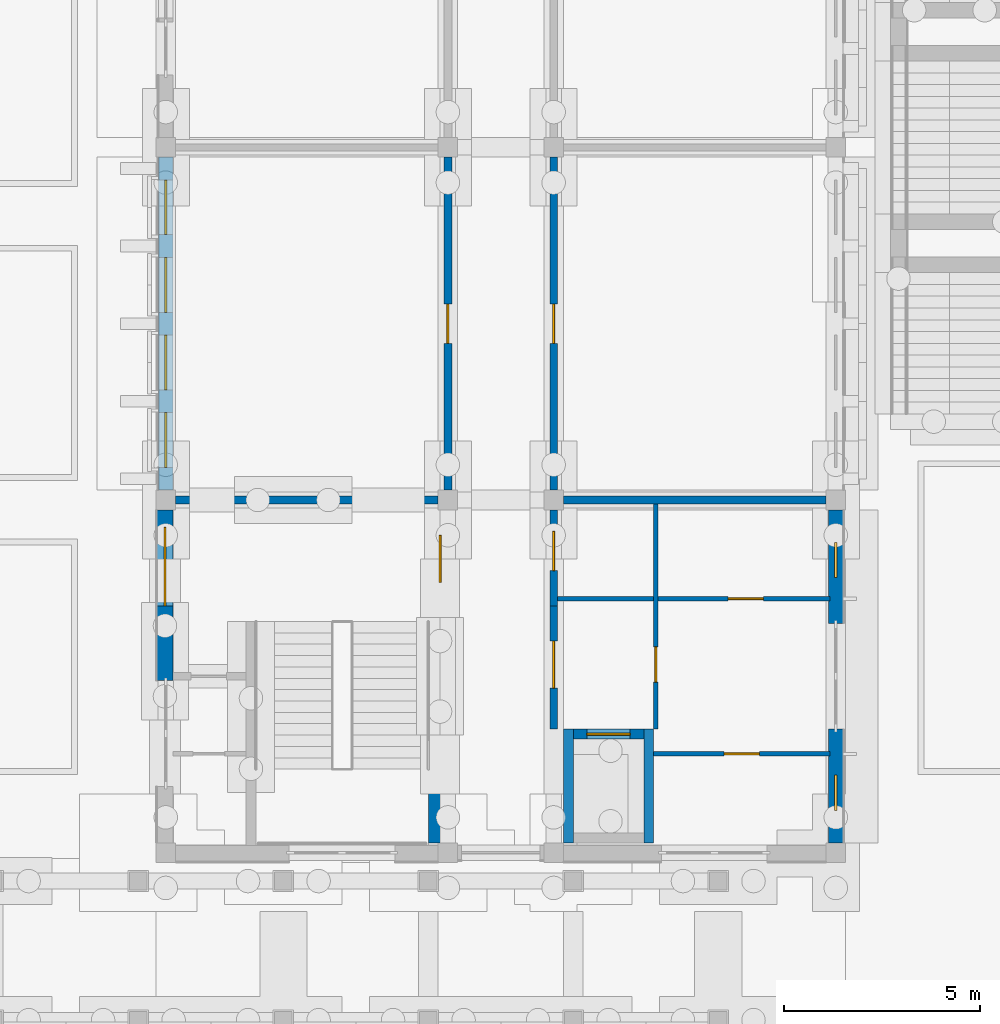
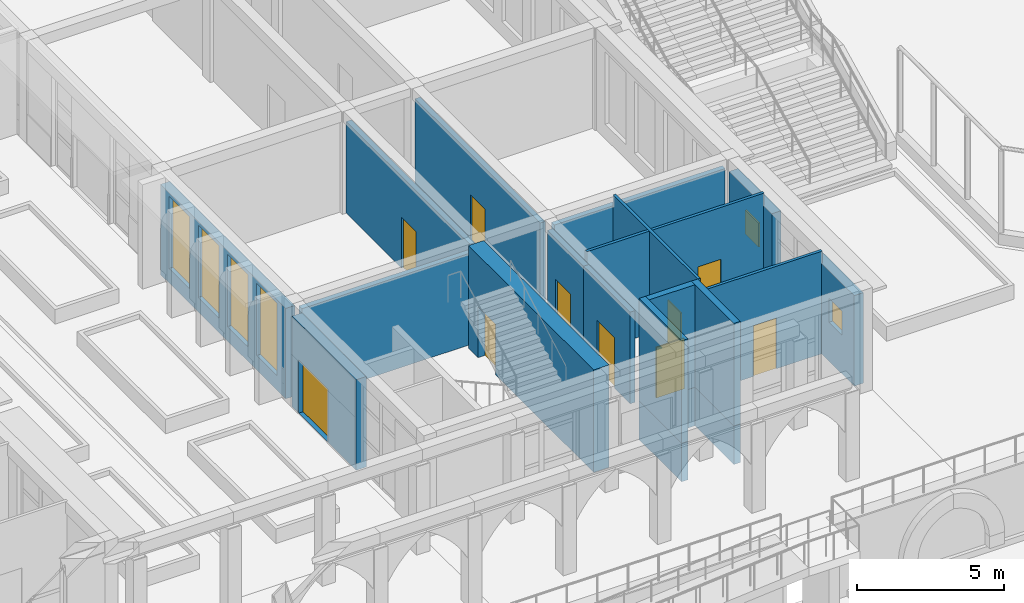
# One storey, part 69 of 161: 20 walls, 10 doors, 6 windows, 16 openings.
"""IFC4 building model written with IfcOpenShell, lengths in metres."""

from ifc_helpers import new_model, si_unit, direction, frame, frame_2d, origin, place, context, subcontext, project, spatial, rectangle, extrude, material, layer, layer_set, type_object, element, fill, save


model = new_model("IFC4")

# Units and contexts
model_context = context("Model", 3, precision=1e-05, world=origin(), true_north=direction((0.0, 1.0)))
body_context = subcontext(model_context, "Body", "Model", "MODEL_VIEW")
ifc_project = project(units=[si_unit("LENGTHUNIT", "METRE"), si_unit("AREAUNIT", "SQUARE_METRE"), si_unit("VOLUMEUNIT", "CUBIC_METRE"), si_unit("PLANEANGLEUNIT", "RADIAN"), si_unit("MASSUNIT", "GRAM", prefix="KILO")], contexts=[model_context])

# Site, building, storey
site_placement = place(None, origin())
site = spatial("IfcSite", under=ifc_project, at=site_placement, CompositionType="ELEMENT")
building_placement = place(site_placement, origin())
building = spatial("IfcBuilding", under=site, at=building_placement, Name="Elbe Cascade School", CompositionType="ELEMENT")
storey_placement = place(building_placement, origin())
storey = spatial("IfcBuildingStorey", under=building, at=storey_placement, Name="L00", CompositionType="ELEMENT", Elevation=0.0)

# Wall, opening, door
ifc_material_1 = material(Name="Masonry - lime-sand block, plastered", Category="masonry")
ifc_layer_1 = layer(ifc_material_1, 0.199951171875)
ifc_layer_set_1 = layer_set([ifc_layer_1], Name="Masonry - lime-sand block, plastered")
wall_type_1 = type_object("IfcWallType", Name="Bar corridor wall lime-sand block 200 EI 30", PredefinedType="PARTITIONING", material=ifc_layer_set_1)
wall_1_placement = place(storey_placement, frame((167.699951171875, 12.300048828125, 0.0), z_axis=(0.0, 0.0, 1.0), x_axis=(0.0, -1.0, 0.0)))
wall_1 = element("IfcWall", 1, at=wall_1_placement, inside=storey, type_object=wall_type_1, Name="Bar corridor wall lime-sand block 200 EI 30", PredefinedType="PARTITIONING", context=body_context, shape_type="SweptSolid", body=[
    extrude(rectangle(XDim=3.150146484375, YDim=0.199951171875, at=frame_2d((1.5751953125, 0.0))), origin(), (0.0, 0.0, 1.0), 3.800048828125),
])
opening_1_placement = place(wall_1_placement, frame((0.89990234375, 0.0, 0.0)))
opening_1 = element("IfcOpeningElement", 2, at=opening_1_placement, cuts=wall_1, Name="Opening D0.102", PredefinedType="OPENING", context=body_context, shape_type="SweptSolid", body=[
    extrude(rectangle(XDim=1.199951171875, YDim=2.10009765625, at=frame_2d((0.60009765625, 1.050048828125))), frame((0.0, 0.10986328125, 0.0), z_axis=(0.0, -1.0, 0.0), x_axis=(1.0, 0.0, 0.0)), (0.0, 0.0, 1.0), 0.219970703125),
])
ifc_material_2 = material(Name="Timber door leaf, fire-resisting and smoke-tight, steel frame", Category="steel")
door_type_1 = type_object("IfcDoorType", Name="Bar door FD30S 1200x2100", OperationType="NOTDEFINED", PredefinedType="DOOR", material=ifc_material_2)
door_1_placement = place(opening_1_placement, origin())
door_1 = element("IfcDoor", 3, at=door_1_placement, inside=storey, type_object=door_type_1, Name="Door D0.06", OperationType="SINGLE_SWING_LEFT", OverallHeight=2.10009765625, OverallWidth=1.199951171875, PredefinedType="DOOR", context=body_context, shape_type="SweptSolid", body=[
    extrude(rectangle(XDim=1.199951171875, YDim=2.10009765625, at=frame_2d((0.60009765625, 1.050048828125))), frame((0.0, 0.02490234375, 0.0), z_axis=(0.0, -1.0, 0.0), x_axis=(1.0, 0.0, 0.0)), (0.0, 0.0, 1.0), 0.050048828125),
])
fill(opening_1, door_1)

wall_2_placement = place(storey_placement, frame((167.699951171875, 12.300048828125, 0.0), z_axis=(0.0, 0.0, 1.0), x_axis=(0.0, 1.0, 0.0)))
wall_2 = element("IfcWall", 4, at=wall_2_placement, inside=storey, type_object=wall_type_1, Name="Bar corridor wall lime-sand block 200 EI 30", PredefinedType="PARTITIONING", context=body_context, shape_type="SweptSolid", body=[
    extrude(rectangle(XDim=2.449951171875, YDim=0.199951171875, at=frame_2d((1.22509765625, 0.0))), origin(), (0.0, 0.0, 1.0), 3.800048828125),
])
opening_2_placement = place(wall_2_placement, frame((0.89990234375, 0.0, 0.0)))
opening_2 = element("IfcOpeningElement", 5, at=opening_2_placement, cuts=wall_2, Name="Opening D0.107", PredefinedType="OPENING", context=body_context, shape_type="SweptSolid", body=[
    extrude(rectangle(XDim=1.0, YDim=2.10009765625, at=frame_2d((0.5, 1.050048828125))), frame((0.0, 0.10986328125, 0.0), z_axis=(0.0, -1.0, 0.0), x_axis=(1.0, 0.0, 0.0)), (0.0, 0.0, 1.0), 0.219970703125),
])
ifc_material_3 = material(Name="Timber door leaf, fire-resisting, steel frame", Category="steel")
door_type_2 = type_object("IfcDoorType", Name="Bar door FD30 1000x2100", OperationType="NOTDEFINED", PredefinedType="DOOR", material=ifc_material_3)
door_2_placement = place(opening_2_placement, origin())
door_2 = element("IfcDoor", 6, at=door_2_placement, inside=storey, type_object=door_type_2, Name="Door D0.10", OperationType="SINGLE_SWING_RIGHT", OverallHeight=2.10009765625, OverallWidth=1.0, PredefinedType="DOOR", context=body_context, shape_type="SweptSolid", body=[
    extrude(rectangle(XDim=1.0, YDim=2.10009765625, at=frame_2d((0.5, 1.050048828125))), frame((0.0, 0.02490234375, 0.0), z_axis=(0.0, -1.0, 0.0), x_axis=(1.0, 0.0, 0.0)), (0.0, 0.0, 1.0), 0.050048828125),
])
fill(opening_2, door_2)

wall_3_placement = place(storey_placement, frame((165.0, 15.25, 0.0), z_axis=(0.0, 0.0, 1.0), x_axis=(0.0, 1.0, 0.0)))
wall_3 = element("IfcWall", 7, at=wall_3_placement, inside=storey, type_object=wall_type_1, Name="Bar corridor wall lime-sand block 200 EI 30", PredefinedType="PARTITIONING", context=body_context, shape_type="SweptSolid", body=[
    extrude(rectangle(XDim=8.5, YDim=0.199951171875, at=frame_2d((4.25, 0.0))), origin(), (0.0, 0.0, 1.0), 3.800048828125),
])
opening_3_placement = place(wall_3_placement, frame((3.75, 0.0, 0.0)))
opening_3 = element("IfcOpeningElement", 8, at=opening_3_placement, cuts=wall_3, Name="Opening D0.108", PredefinedType="OPENING", context=body_context, shape_type="SweptSolid", body=[
    extrude(rectangle(XDim=1.0, YDim=2.10009765625, at=frame_2d((0.5, 1.050048828125))), frame((0.0, 0.10986328125, 0.0), z_axis=(0.0, -1.0, 0.0), x_axis=(1.0, 0.0, 0.0)), (0.0, 0.0, 1.0), 0.219970703125),
])
door_3_placement = place(opening_3_placement, origin())
door_3 = element("IfcDoor", 9, at=door_3_placement, inside=storey, type_object=door_type_2, Name="Door D0.19", OperationType="SINGLE_SWING_RIGHT", OverallHeight=2.10009765625, OverallWidth=1.0, PredefinedType="DOOR", context=body_context, shape_type="SweptSolid", body=[
    extrude(rectangle(XDim=1.0, YDim=2.10009765625, at=frame_2d((0.5, 1.050048828125))), frame((0.0, 0.02490234375, 0.0), z_axis=(0.0, -1.0, 0.0), x_axis=(1.0, 0.0, 0.0)), (0.0, 0.0, 1.0), 0.050048828125),
])
fill(opening_3, door_3)

wall_4_placement = place(storey_placement, frame((167.699951171875, 23.75, 0.0), z_axis=(0.0, 0.0, 1.0), x_axis=(0.0, -1.0, 0.0)))
wall_4 = element("IfcWall", 10, at=wall_4_placement, inside=storey, type_object=wall_type_1, Name="Bar corridor wall lime-sand block 200 EI 30", PredefinedType="PARTITIONING", context=body_context, shape_type="SweptSolid", body=[
    extrude(rectangle(XDim=8.5, YDim=0.199951171875, at=frame_2d((4.25, 0.0))), origin(), (0.0, 0.0, 1.0), 3.800048828125),
])
opening_4_placement = place(wall_4_placement, frame((3.75, 0.0, 0.0)))
opening_4 = element("IfcOpeningElement", 11, at=opening_4_placement, cuts=wall_4, Name="Opening D0.109", PredefinedType="OPENING", context=body_context, shape_type="SweptSolid", body=[
    extrude(rectangle(XDim=1.0, YDim=2.10009765625, at=frame_2d((0.5, 1.050048828125))), frame((0.0, 0.10986328125, 0.0), z_axis=(0.0, -1.0, 0.0), x_axis=(1.0, 0.0, 0.0)), (0.0, 0.0, 1.0), 0.219970703125),
])
door_4_placement = place(opening_4_placement, origin())
door_4 = element("IfcDoor", 12, at=door_4_placement, inside=storey, type_object=door_type_2, Name="Door D0.22", OperationType="SINGLE_SWING_LEFT", OverallHeight=2.10009765625, OverallWidth=1.0, PredefinedType="DOOR", context=body_context, shape_type="SweptSolid", body=[
    extrude(rectangle(XDim=1.0, YDim=2.10009765625, at=frame_2d((0.5, 1.050048828125))), frame((0.0, 0.02490234375, 0.0), z_axis=(0.0, -1.0, 0.0), x_axis=(1.0, 0.0, 0.0)), (0.0, 0.0, 1.0), 0.050048828125),
])
fill(opening_4, door_4)

ifc_material_4 = material(Name="Masonry - lime-sand block, plastered", Category="masonry")
ifc_layer_2 = layer(ifc_material_4, 0.114990234375)
ifc_layer_set_2 = layer_set([ifc_layer_2], Name="Masonry - lime-sand block, plastered")
wall_type_2 = type_object("IfcWallType", Name="Bar light partition wall lime-sand block 115", PredefinedType="PARTITIONING", material=ifc_layer_set_2)
wall_5_placement = place(storey_placement, frame((170.3076171875, 14.89990234375, 0.0), z_axis=(0.0, 0.0, 1.0), x_axis=(0.0, -1.0, 0.0)))
wall_5 = element("IfcWall", 13, at=wall_5_placement, inside=storey, type_object=wall_type_2, Name="Bar light partition wall lime-sand block 115", PredefinedType="PARTITIONING", context=body_context, shape_type="SweptSolid", body=[
    extrude(rectangle(XDim=5.75, YDim=0.114990234375, at=frame_2d((2.875, 0.0))), origin(), (0.0, 0.0, 1.0), 4.25),
])
opening_5_placement = place(wall_5_placement, frame((3.64990234375, 0.0, 0.0)))
opening_5 = element("IfcOpeningElement", 14, at=opening_5_placement, cuts=wall_5, Name="Opening D0.103", PredefinedType="OPENING", context=body_context, shape_type="SweptSolid", body=[
    extrude(rectangle(XDim=0.89990234375, YDim=2.10009765625, at=frame_2d((0.449951171875, 1.050048828125))), frame((0.0, 0.0673828125, 0.0), z_axis=(0.0, -1.0, 0.0), x_axis=(1.0, 0.0, 0.0)), (0.0, 0.0, 1.0), 0.135009765625),
])
ifc_material_5 = material(Name="Timber door leaf, steel frame", Category="steel")
door_type_3 = type_object("IfcDoorType", Name="Bar door 900x2100", OperationType="NOTDEFINED", PredefinedType="DOOR", material=ifc_material_5)
door_5_placement = place(opening_5_placement, origin())
door_5 = element("IfcDoor", 15, at=door_5_placement, inside=storey, type_object=door_type_3, Name="Door D0.07", OperationType="SINGLE_SWING_LEFT", OverallHeight=2.10009765625, OverallWidth=0.89990234375, PredefinedType="DOOR", context=body_context, shape_type="SweptSolid", body=[
    extrude(rectangle(XDim=0.89990234375, YDim=2.10009765625, at=frame_2d((0.449951171875, 1.050048828125))), frame((0.0, 0.02490234375, 0.0), z_axis=(0.0, -1.0, 0.0), x_axis=(1.0, 0.0, 0.0)), (0.0, 0.0, 1.0), 0.050048828125),
])
fill(opening_5, door_5)

wall_6_placement = place(storey_placement, frame((174.75, 8.52001953125, 0.0), z_axis=(0.0, 0.0, 1.0), x_axis=(-1.0, 0.0, 0.0)))
wall_6 = element("IfcWall", 16, at=wall_6_placement, inside=storey, type_object=wall_type_2, Name="Bar light partition wall lime-sand block 115", PredefinedType="PARTITIONING", context=body_context, shape_type="SweptSolid", body=[
    extrude(rectangle(XDim=4.5, YDim=0.114990234375, at=frame_2d((2.25, 0.0))), origin(), (0.0, 0.0, 1.0), 4.25),
])
opening_6_placement = place(wall_6_placement, frame((1.800048828125, 0.0, 0.0)))
opening_6 = element("IfcOpeningElement", 17, at=opening_6_placement, cuts=wall_6, Name="Opening D0.099", PredefinedType="OPENING", context=body_context, shape_type="SweptSolid", body=[
    extrude(rectangle(XDim=0.89990234375, YDim=2.10009765625, at=frame_2d((0.449951171875, 1.050048828125))), frame((0.0, 0.0673828125, 0.0), z_axis=(0.0, -1.0, 0.0), x_axis=(1.0, 0.0, 0.0)), (0.0, 0.0, 1.0), 0.135009765625),
])
door_6_placement = place(opening_6_placement, origin())
door_6 = element("IfcDoor", 18, at=door_6_placement, inside=storey, type_object=door_type_3, Name="Door D0.08", OperationType="SINGLE_SWING_LEFT", OverallHeight=2.10009765625, OverallWidth=0.89990234375, PredefinedType="DOOR", context=body_context, shape_type="SweptSolid", body=[
    extrude(rectangle(XDim=0.89990234375, YDim=2.10009765625, at=frame_2d((0.449951171875, 1.050048828125))), frame((0.0, 0.02490234375, 0.0), z_axis=(0.0, -1.0, 0.0), x_axis=(1.0, 0.0, 0.0)), (0.0, 0.0, 1.0), 0.050048828125),
])
fill(opening_6, door_6)

wall_7_placement = place(storey_placement, frame((167.800048828125, 12.47998046875, 0.0), z_axis=(0.0, 0.0, 1.0), x_axis=(1.0, 0.0, 0.0)))
wall_7 = element("IfcWall", 19, at=wall_7_placement, inside=storey, type_object=wall_type_2, Name="Bar light partition wall lime-sand block 115", PredefinedType="PARTITIONING", context=body_context, shape_type="SweptSolid", body=[
    extrude(rectangle(XDim=6.949951171875, YDim=0.114990234375, at=frame_2d((3.47509765625, 0.0))), origin(), (0.0, 0.0, 1.0), 4.25),
])
opening_7_placement = place(wall_7_placement, frame((4.35009765625, 0.0, 0.0)))
opening_7 = element("IfcOpeningElement", 20, at=opening_7_placement, cuts=wall_7, Name="Opening D0.104", PredefinedType="OPENING", context=body_context, shape_type="SweptSolid", body=[
    extrude(rectangle(XDim=0.89990234375, YDim=2.10009765625, at=frame_2d((0.449951171875, 1.050048828125))), frame((0.0, 0.0673828125, 0.0), z_axis=(0.0, -1.0, 0.0), x_axis=(1.0, 0.0, 0.0)), (0.0, 0.0, 1.0), 0.135009765625),
])
door_7_placement = place(opening_7_placement, origin())
door_7 = element("IfcDoor", 21, at=door_7_placement, inside=storey, type_object=door_type_3, Name="Door D0.09", OperationType="SINGLE_SWING_RIGHT", OverallHeight=2.10009765625, OverallWidth=0.89990234375, PredefinedType="DOOR", context=body_context, shape_type="SweptSolid", body=[
    extrude(rectangle(XDim=0.89990234375, YDim=2.10009765625, at=frame_2d((0.449951171875, 1.050048828125))), frame((0.0, 0.02490234375, 0.0), z_axis=(0.0, -1.0, 0.0), x_axis=(1.0, 0.0, 0.0)), (0.0, 0.0, 1.0), 0.050048828125),
])
fill(opening_7, door_7)

# Wall
ifc_material_6 = material(Name="Masonry - lime-sand block, plastered", Category="masonry")
ifc_layer_3 = layer(ifc_material_6, 0.199951171875)
ifc_layer_set_3 = layer_set([ifc_layer_3], Name="Masonry - lime-sand block, plastered")
wall_type_3 = type_object("IfcWallType", Name="Bar partition wall lime-sand block 200", PredefinedType="PARTITIONING", material=ifc_layer_set_3)
wall_8_placement = place(storey_placement, frame((167.949951171875, 15.0, 0.0), z_axis=(0.0, 0.0, 1.0), x_axis=(1.0, 0.0, 0.0)))
element("IfcWall", 22, at=wall_8_placement, inside=storey, type_object=wall_type_3, Name="Bar partition wall lime-sand block 200", PredefinedType="PARTITIONING", context=body_context, shape_type="SweptSolid", body=[
    extrude(rectangle(XDim=6.699951171875, YDim=0.199951171875, at=frame_2d((3.35009765625, 0.0))), origin(), (0.0, 0.0, 1.0), 3.800048828125),
])

# Wall, opening, door
ifc_material_7 = material(Name="Concrete C30/37", Category="concrete")
ifc_layer_4 = layer(ifc_material_7, 0.60009765625)
ifc_layer_set_4 = layer_set([ifc_layer_4], Name="Concrete C30/37")
wall_type_4 = type_object("IfcWallType", Name="Bar stair core wall RC 600", PredefinedType="SOLIDWALL", material=ifc_layer_set_4)
wall_9_placement = place(storey_placement, frame((164.800048828125, 6.25, 0.0), z_axis=(0.0, 0.0, 1.0), x_axis=(0.0, 1.0, 0.0)))
wall_9 = element("IfcWall", 23, at=wall_9_placement, inside=storey, type_object=wall_type_4, Name="Bar stair core wall RC 600", PredefinedType="SOLIDWALL", context=body_context, shape_type="SweptSolid", body=[
    extrude(rectangle(XDim=8.5, YDim=0.60009765625, at=frame_2d((4.25, 0.0))), origin(), (0.0, 0.0, 1.0), 4.25),
])
opening_8_placement = place(wall_9_placement, frame((6.64990234375, 0.0, 0.0)))
opening_8 = element("IfcOpeningElement", 24, at=opening_8_placement, cuts=wall_9, Name="Opening D0.106", PredefinedType="OPENING", context=body_context, shape_type="SweptSolid", body=[
    extrude(rectangle(XDim=1.199951171875, YDim=2.10009765625, at=frame_2d((0.60009765625, 1.050048828125))), frame((0.0, 0.31005859375, 0.0), z_axis=(0.0, -1.0, 0.0), x_axis=(1.0, 0.0, 0.0)), (0.0, 0.0, 1.0), 0.6201171875),
])
door_8_placement = place(opening_8_placement, origin())
door_8 = element("IfcDoor", 25, at=door_8_placement, inside=storey, type_object=door_type_1, Name="Door D0.03", OperationType="SINGLE_SWING_RIGHT", OverallHeight=2.10009765625, OverallWidth=1.199951171875, PredefinedType="DOOR", context=body_context, shape_type="SweptSolid", body=[
    extrude(rectangle(XDim=1.199951171875, YDim=2.10009765625, at=frame_2d((0.60009765625, 1.050048828125))), frame((0.0, 0.02490234375, 0.0), z_axis=(0.0, -1.0, 0.0), x_axis=(1.0, 0.0, 0.0)), (0.0, 0.0, 1.0), 0.050048828125),
])
fill(opening_8, door_8)

# Wall
ifc_material_8 = material(Name="Concrete C30/37", Category="concrete")
ifc_layer_5 = layer(ifc_material_8, 0.199951171875)
ifc_layer_set_5 = layer_set([ifc_layer_5], Name="Concrete C30/37")
wall_type_5 = type_object("IfcWallType", Name="Bar stair lobby wall RC 200", PredefinedType="SOLIDWALL", material=ifc_layer_set_5)
wall_10_placement = place(storey_placement, frame((158.050048828125, 15.0, 0.0), z_axis=(0.0, 0.0, 1.0), x_axis=(1.0, 0.0, 0.0)))
element("IfcWall", 26, at=wall_10_placement, inside=storey, type_object=wall_type_5, Name="Bar stair lobby wall RC 200", PredefinedType="SOLIDWALL", context=body_context, shape_type="SweptSolid", body=[
    extrude(rectangle(XDim=6.699951171875, YDim=0.199951171875, at=frame_2d((3.35009765625, 0.0))), origin(), (0.0, 0.0, 1.0), 3.800048828125),
])

# Wall, openings, windows
ifc_material_9 = material(Name="Brick masonry - red clinker, cavity wall with render backing", Category="masonry")
ifc_layer_6 = layer(ifc_material_9, 0.360107421875)
ifc_layer_set_6 = layer_set([ifc_layer_6], Name="Brick masonry - red clinker, cavity wall with render backing")
wall_type_6 = type_object("IfcWallType", Name="Bars envelope External wall - clinker brick cavity, 360 ground floor", PredefinedType="STANDARD", material=ifc_layer_set_6)
wall_11_placement = place(storey_placement, frame((157.800048828125, 15.25, 0.0), z_axis=(0.0, 0.0, 1.0), x_axis=(0.0, 1.0, 0.0)))
wall_11 = element("IfcWall", 27, at=wall_11_placement, inside=storey, type_object=wall_type_6, Name="External wall W29 D.L00.w2", PredefinedType="STANDARD", context=body_context, shape_type="SweptSolid", body=[
    extrude(rectangle(XDim=8.5, YDim=0.360107421875, at=frame_2d((4.25, 0.0))), origin(), (0.0, 0.0, 1.0), 3.75),
])
opening_9_placement = place(wall_11_placement, frame((0.580078125, 0.0, 0.60009765625)))
opening_9 = element("IfcOpeningElement", 28, at=opening_9_placement, cuts=wall_11, Name="Opening W0.093", PredefinedType="OPENING", context=body_context, shape_type="SweptSolid", body=[
    extrude(rectangle(XDim=1.39990234375, YDim=3.0, at=frame_2d((0.699951171875, 1.5))), frame((0.0, 0.18994140625, 0.0), z_axis=(0.0, -1.0, 0.0), x_axis=(1.0, 0.0, 0.0)), (0.0, 0.0, 1.0), 0.380126953125),
])
opening_10_placement = place(wall_11_placement, frame((2.56005859375, 0.0, 0.60009765625)))
opening_10 = element("IfcOpeningElement", 29, at=opening_10_placement, cuts=wall_11, Name="Opening W0.095", PredefinedType="OPENING", context=body_context, shape_type="SweptSolid", body=[
    extrude(rectangle(XDim=1.39990234375, YDim=3.0, at=frame_2d((0.699951171875, 1.5))), frame((0.0, 0.18994140625, 0.0), z_axis=(0.0, -1.0, 0.0), x_axis=(1.0, 0.0, 0.0)), (0.0, 0.0, 1.0), 0.380126953125),
])
opening_11_placement = place(wall_11_placement, frame((4.5400390625, 0.0, 0.60009765625)))
opening_11 = element("IfcOpeningElement", 30, at=opening_11_placement, cuts=wall_11, Name="Opening W0.097", PredefinedType="OPENING", context=body_context, shape_type="SweptSolid", body=[
    extrude(rectangle(XDim=1.39990234375, YDim=3.0, at=frame_2d((0.699951171875, 1.5))), frame((0.0, 0.18994140625, 0.0), z_axis=(0.0, -1.0, 0.0), x_axis=(1.0, 0.0, 0.0)), (0.0, 0.0, 1.0), 0.380126953125),
])
opening_12_placement = place(wall_11_placement, frame((6.52001953125, 0.0, 0.60009765625)))
opening_12 = element("IfcOpeningElement", 31, at=opening_12_placement, cuts=wall_11, Name="Opening W0.099", PredefinedType="OPENING", context=body_context, shape_type="SweptSolid", body=[
    extrude(rectangle(XDim=1.39990234375, YDim=3.0, at=frame_2d((0.699951171875, 1.5))), frame((0.0, 0.18994140625, 0.0), z_axis=(0.0, -1.0, 0.0), x_axis=(1.0, 0.0, 0.0)), (0.0, 0.0, 1.0), 0.380126953125),
])
ifc_material_10 = material(Name="Aluminium frame with double glazing, bronze anodised", Category="aluminium")
window_type_1 = type_object("IfcWindowType", Name="Bars envelope Window 1400 x 3000, classroom, aluminium double glazed", PartitioningType="DOUBLE_PANEL_VERTICAL", PredefinedType="WINDOW", material=ifc_material_10)
window_1_placement = place(opening_9_placement, origin())
window_1 = element("IfcWindow", 32, at=window_1_placement, inside=storey, type_object=window_type_1, Name="Window WN12 D.L00.w2.1", OverallHeight=3.0, OverallWidth=1.39990234375, PartitioningType="DOUBLE_PANEL_VERTICAL", PredefinedType="WINDOW", context=body_context, shape_type="SweptSolid", body=[
    extrude(rectangle(XDim=1.39990234375, YDim=3.0, at=frame_2d((0.699951171875, 1.5))), frame((0.0, 0.030029296875, 0.0), z_axis=(0.0, -1.0, 0.0), x_axis=(1.0, 0.0, 0.0)), (0.0, 0.0, 1.0), 0.06005859375),
])
fill(opening_9, window_1)
window_2_placement = place(opening_10_placement, origin())
window_2 = element("IfcWindow", 33, at=window_2_placement, inside=storey, type_object=window_type_1, Name="Window WN12 D.L00.w2.2", OverallHeight=3.0, OverallWidth=1.39990234375, PartitioningType="DOUBLE_PANEL_VERTICAL", PredefinedType="WINDOW", context=body_context, shape_type="SweptSolid", body=[
    extrude(rectangle(XDim=1.39990234375, YDim=3.0, at=frame_2d((0.699951171875, 1.5))), frame((0.0, 0.030029296875, 0.0), z_axis=(0.0, -1.0, 0.0), x_axis=(1.0, 0.0, 0.0)), (0.0, 0.0, 1.0), 0.06005859375),
])
fill(opening_10, window_2)
window_3_placement = place(opening_11_placement, origin())
window_3 = element("IfcWindow", 34, at=window_3_placement, inside=storey, type_object=window_type_1, Name="Window WN12 D.L00.w2.3", OverallHeight=3.0, OverallWidth=1.39990234375, PartitioningType="DOUBLE_PANEL_VERTICAL", PredefinedType="WINDOW", context=body_context, shape_type="SweptSolid", body=[
    extrude(rectangle(XDim=1.39990234375, YDim=3.0, at=frame_2d((0.699951171875, 1.5))), frame((0.0, 0.030029296875, 0.0), z_axis=(0.0, -1.0, 0.0), x_axis=(1.0, 0.0, 0.0)), (0.0, 0.0, 1.0), 0.06005859375),
])
fill(opening_11, window_3)
window_4_placement = place(opening_12_placement, origin())
window_4 = element("IfcWindow", 35, at=window_4_placement, inside=storey, type_object=window_type_1, Name="Window WN12 D.L00.w2.4", OverallHeight=3.0, OverallWidth=1.39990234375, PartitioningType="DOUBLE_PANEL_VERTICAL", PredefinedType="WINDOW", context=body_context, shape_type="SweptSolid", body=[
    extrude(rectangle(XDim=1.39990234375, YDim=3.0, at=frame_2d((0.699951171875, 1.5))), frame((0.0, 0.030029296875, 0.0), z_axis=(0.0, -1.0, 0.0), x_axis=(1.0, 0.0, 0.0)), (0.0, 0.0, 1.0), 0.06005859375),
])
fill(opening_12, window_4)

# Wall, opening, window
wall_12_placement = place(storey_placement, frame((174.89990234375, 9.14990234375, 0.0), z_axis=(0.0, 0.0, 1.0), x_axis=(0.0, -1.0, 0.0)))
wall_12 = element("IfcWall", 36, at=wall_12_placement, inside=storey, type_object=wall_type_6, Name="External wall W29 D.L00.e1a", PredefinedType="STANDARD", context=body_context, shape_type="SweptSolid", body=[
    extrude(rectangle(XDim=2.89990234375, YDim=0.360107421875, at=frame_2d((1.449951171875, 0.0))), origin(), (0.0, 0.0, 1.0), 3.75),
])
opening_13_placement = place(wall_12_placement, frame((1.169921875, 0.0, 1.60009765625)))
opening_13 = element("IfcOpeningElement", 37, at=opening_13_placement, cuts=wall_12, Name="Opening W0.091", PredefinedType="OPENING", context=body_context, shape_type="SweptSolid", body=[
    extrude(rectangle(XDim=0.89990234375, YDim=1.0, at=frame_2d((0.449951171875, 0.5))), frame((0.0, 0.18994140625, 0.0), z_axis=(0.0, -1.0, 0.0), x_axis=(1.0, 0.0, 0.0)), (0.0, 0.0, 1.0), 0.380126953125),
])
ifc_material_11 = material(Name="Aluminium frame with double glazing, bronze anodised", Category="aluminium")
window_type_2 = type_object("IfcWindowType", Name="Bars envelope Window 900 x 1000, WC and service room, high level, aluminium double glazed", PartitioningType="SINGLE_PANEL", PredefinedType="WINDOW", material=ifc_material_11)
window_5_placement = place(opening_13_placement, origin())
window_5 = element("IfcWindow", 38, at=window_5_placement, inside=storey, type_object=window_type_2, Name="Window WN4 D.L00.e1a.1", OverallHeight=1.0, OverallWidth=0.89990234375, PartitioningType="SINGLE_PANEL", PredefinedType="WINDOW", context=body_context, shape_type="SweptSolid", body=[
    extrude(rectangle(XDim=0.89990234375, YDim=1.0, at=frame_2d((0.449951171875, 0.5))), frame((0.0, 0.030029296875, 0.0), z_axis=(0.0, -1.0, 0.0), x_axis=(1.0, 0.0, 0.0)), (0.0, 0.0, 1.0), 0.06005859375),
])
fill(opening_13, window_5)

wall_13_placement = place(storey_placement, frame((174.89990234375, 14.75, 0.0), z_axis=(0.0, 0.0, 1.0), x_axis=(0.0, -1.0, 0.0)))
wall_13 = element("IfcWall", 39, at=wall_13_placement, inside=storey, type_object=wall_type_6, Name="External wall W29 D.L00.e1b", PredefinedType="STANDARD", context=body_context, shape_type="SweptSolid", body=[
    extrude(rectangle(XDim=2.89990234375, YDim=0.360107421875, at=frame_2d((1.449951171875, 0.0))), origin(), (0.0, 0.0, 1.0), 3.75),
])
opening_14_placement = place(wall_13_placement, frame((0.830078125, 0.0, 1.60009765625)))
opening_14 = element("IfcOpeningElement", 40, at=opening_14_placement, cuts=wall_13, Name="Opening W0.092", PredefinedType="OPENING", context=body_context, shape_type="SweptSolid", body=[
    extrude(rectangle(XDim=0.89990234375, YDim=1.0, at=frame_2d((0.449951171875, 0.5))), frame((0.0, 0.18994140625, 0.0), z_axis=(0.0, -1.0, 0.0), x_axis=(1.0, 0.0, 0.0)), (0.0, 0.0, 1.0), 0.380126953125),
])
window_6_placement = place(opening_14_placement, origin())
window_6 = element("IfcWindow", 41, at=window_6_placement, inside=storey, type_object=window_type_2, Name="Window WN4 D.L00.e1b.1", OverallHeight=1.0, OverallWidth=0.89990234375, PartitioningType="SINGLE_PANEL", PredefinedType="WINDOW", context=body_context, shape_type="SweptSolid", body=[
    extrude(rectangle(XDim=0.89990234375, YDim=1.0, at=frame_2d((0.449951171875, 0.5))), frame((0.0, 0.030029296875, 0.0), z_axis=(0.0, -1.0, 0.0), x_axis=(1.0, 0.0, 0.0)), (0.0, 0.0, 1.0), 0.06005859375),
])
fill(opening_14, window_6)

# Wall, opening, door
ifc_material_12 = material(Name="Brick masonry - red clinker, solid, sandstone-faced", Category="masonry")
ifc_layer_7 = layer(ifc_material_12, 0.39990234375)
ifc_layer_set_7 = layer_set([ifc_layer_7], Name="Brick masonry - red clinker, solid, sandstone-faced")
wall_type_7 = type_object("IfcWallType", Name="Bars envelope External wall - solid masonry core strip, sandstone faced, 400", PredefinedType="STANDARD", material=ifc_layer_set_7)
wall_14_placement = place(storey_placement, frame((157.780029296875, 10.389892578125, 0.0), z_axis=(0.0, 0.0, 1.0), x_axis=(0.0, 1.0, 0.0)))
wall_14 = element("IfcWall", 42, at=wall_14_placement, inside=storey, type_object=wall_type_7, Name="External wall W31 D.L00.w1b", PredefinedType="STANDARD", context=body_context, shape_type="SweptSolid", body=[
    extrude(rectangle(XDim=4.360107421875, YDim=0.39990234375, at=frame_2d((2.18017578125, 0.0))), origin(), (0.0, 0.0, 1.0), 3.75),
])
opening_15_placement = place(wall_14_placement, frame((1.909912109375, 0.0, 0.0)))
opening_15 = element("IfcOpeningElement", 43, at=opening_15_placement, cuts=wall_14, Name="Opening D0.105", PredefinedType="OPENING", context=body_context, shape_type="SweptSolid", body=[
    extrude(rectangle(XDim=2.0, YDim=2.199951171875, at=frame_2d((1.0, 1.10009765625))), frame((0.0, 0.2099609375, 0.0), z_axis=(0.0, -1.0, 0.0), x_axis=(1.0, 0.0, 0.0)), (0.0, 0.0, 1.0), 0.419921875),
])
ifc_material_13 = material(Name="Steel door set, fire resisting", Category="steel")
door_type_4 = type_object("IfcDoorType", Name="Bars envelope Stair exit door, double leaf, 2000 x 2200, fire resisting", OperationType="DOUBLE_DOOR_SINGLE_SWING", PredefinedType="DOOR", material=ifc_material_13)
door_9_placement = place(opening_15_placement, origin())
door_9 = element("IfcDoor", 44, at=door_9_placement, inside=storey, type_object=door_type_4, Name="Stair exit door D12 D.L00.w1b", OperationType="DOUBLE_DOOR_SINGLE_SWING", OverallHeight=2.199951171875, OverallWidth=2.0, PredefinedType="DOOR", context=body_context, shape_type="SweptSolid", body=[
    extrude(rectangle(XDim=2.0, YDim=2.199951171875, at=frame_2d((1.0, 1.10009765625))), frame((0.0, 0.02490234375, 0.0), z_axis=(0.0, -1.0, 0.0), x_axis=(1.0, 0.0, 0.0)), (0.0, 0.0, 1.0), 0.050048828125),
])
fill(opening_15, door_9)

# Walls
ifc_material_14 = material(Name="Concrete C30/37", Category="concrete")
ifc_layer_8 = layer(ifc_material_14, 0.25)
ifc_layer_set_8 = layer_set([ifc_layer_8], Name="Concrete C30/37")
wall_type_8 = type_object("IfcWallType", Name="Shaft wall 250", PredefinedType="SHEAR", material=ifc_layer_set_8)
for number, where, z_axis, x_axis, name in (
    (45, (168.074951171875, 6.25, 0.0), (0.0, 0.0, 1.0), (0.0, 1.0, 0.0), "Shaft wall 250 W1"),
    (46, (170.125, 6.25, 0.0), (0.0, 0.0, 1.0), (0.0, 1.0, 0.0), "Shaft wall 250 W1"),
):
    element("IfcWall", number, at=place(storey_placement, frame(where, z_axis=z_axis, x_axis=x_axis)), inside=storey, type_object=wall_type_8, Name=name, PredefinedType="SHEAR", context=body_context, shape_type="SweptSolid", body=[
        extrude(rectangle(XDim=2.89990234375, YDim=0.25, at=frame_2d((1.449951171875, 0.0))), origin(), (0.0, 0.0, 1.0), 4.25),
    ])

# Wall, opening, door
wall_15_placement = place(storey_placement, frame((168.199951171875, 9.02490234375, 0.0), z_axis=(0.0, 0.0, 1.0), x_axis=(1.0, 0.0, 0.0)))
wall_15 = element("IfcWall", 47, at=wall_15_placement, inside=storey, type_object=wall_type_8, Name="Shaft wall 250 W1", PredefinedType="SHEAR", context=body_context, shape_type="SweptSolid", body=[
    extrude(rectangle(XDim=1.800048828125, YDim=0.25, at=frame_2d((0.89990234375, 0.0))), origin(), (0.0, 0.0, 1.0), 4.25),
])
opening_16_placement = place(wall_15_placement, frame((0.35009765625, 0.0, 0.0)))
opening_16 = element("IfcOpeningElement", 48, at=opening_16_placement, cuts=wall_15, Name="Opening D0.100", PredefinedType="OPENING", context=body_context, shape_type="SweptSolid", body=[
    extrude(rectangle(XDim=1.10009765625, YDim=2.10009765625, at=frame_2d((0.550048828125, 1.050048828125))), frame((0.0, 0.135009765625, 0.0), z_axis=(0.0, -1.0, 0.0), x_axis=(1.0, 0.0, 0.0)), (0.0, 0.0, 1.0), 0.27001953125),
])
ifc_material_15 = material(Name="Stainless steel sliding door leaf", Category="steel")
door_type_5 = type_object("IfcDoorType", Name="Bar lift landing door 1100x2100", OperationType="SLIDING_TO_LEFT", PredefinedType="DOOR", material=ifc_material_15)
door_10_placement = place(opening_16_placement, origin())
door_10 = element("IfcDoor", 49, at=door_10_placement, inside=storey, type_object=door_type_5, Name="Lift landing door LDD0.1", OperationType="SLIDING_TO_LEFT", OverallHeight=2.10009765625, OverallWidth=1.10009765625, PredefinedType="DOOR", context=body_context, shape_type="SweptSolid", body=[
    extrude(rectangle(XDim=1.10009765625, YDim=2.10009765625, at=frame_2d((0.550048828125, 1.050048828125))), frame((0.0, 0.02490234375, 0.0), z_axis=(0.0, -1.0, 0.0), x_axis=(1.0, 0.0, 0.0)), (0.0, 0.0, 1.0), 0.050048828125),
])
fill(opening_16, door_10)

# Walls
for number, where, z_axis, x_axis, name in (
    (50, (168.074951171875, 6.25, -1.60009765625), (0.0, 0.0, 1.0), (0.0, 1.0, 0.0), "Shaft wall 250 W1"),
    (51, (170.125, 6.25, -1.60009765625), (0.0, 0.0, 1.0), (0.0, 1.0, 0.0), "Shaft wall 250 W1"),
):
    element("IfcWall", number, at=place(storey_placement, frame(where, z_axis=z_axis, x_axis=x_axis)), inside=storey, type_object=wall_type_8, Name=name, PredefinedType="SHEAR", context=body_context, shape_type="SweptSolid", body=[
        extrude(rectangle(XDim=2.89990234375, YDim=0.25, at=frame_2d((1.449951171875, 0.0))), origin(), (0.0, 0.0, 1.0), 1.60009765625),
    ])
wall_16_placement = place(storey_placement, frame((168.199951171875, 9.02490234375, -1.60009765625), z_axis=(0.0, 0.0, 1.0), x_axis=(1.0, 0.0, 0.0)))
element("IfcWall", 52, at=wall_16_placement, inside=storey, type_object=wall_type_8, Name="Shaft wall 250 W1", PredefinedType="SHEAR", context=body_context, shape_type="SweptSolid", body=[
    extrude(rectangle(XDim=1.800048828125, YDim=0.25, at=frame_2d((0.89990234375, 0.0))), origin(), (0.0, 0.0, 1.0), 1.60009765625),
])

save(model, "model.ifc")
